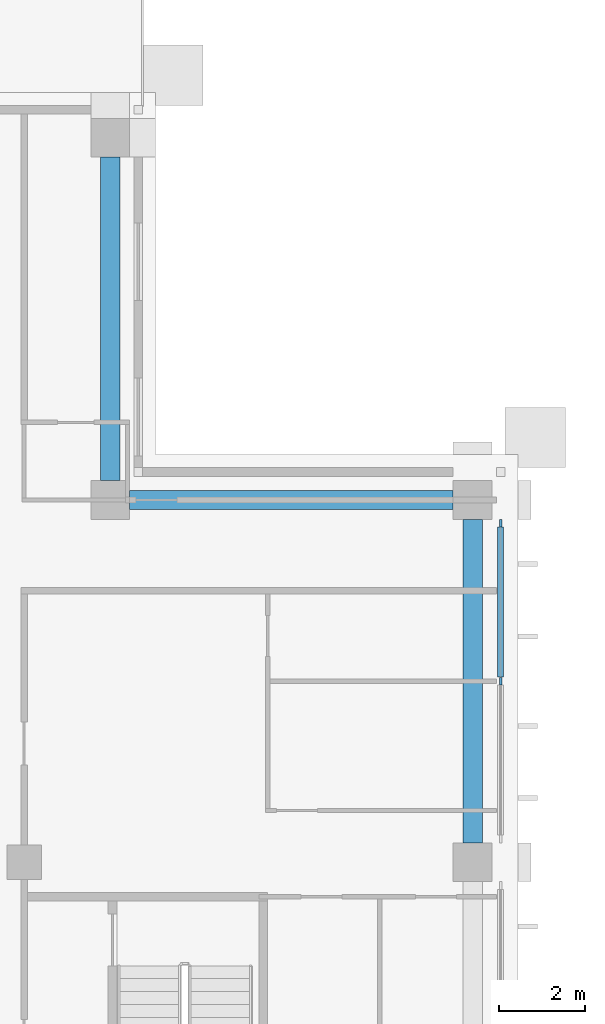
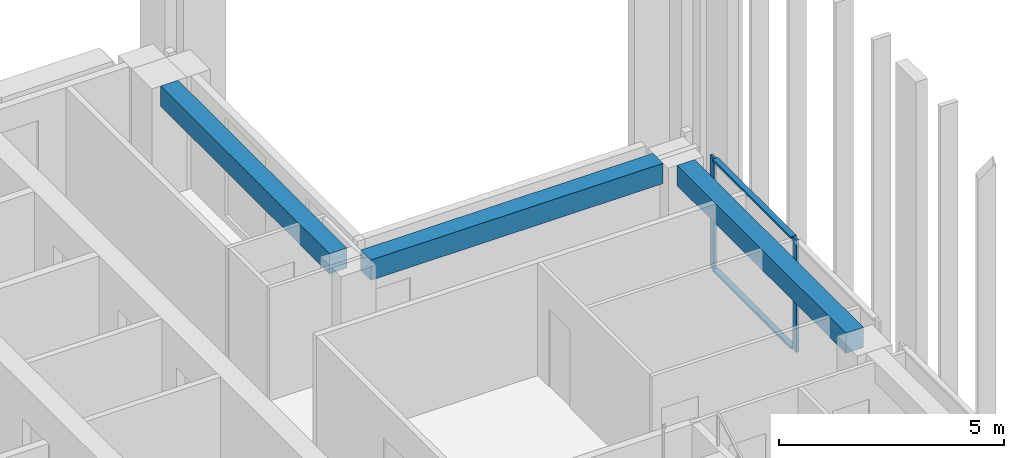
# One storey, part 7 of 20: 4 members, 3 beams, 1 element without a shape of its own.
"""IFC4 building model written with IfcOpenShell, lengths in metres."""

from ifc_helpers import new_model, si_unit, direction, frame, origin, origin_2d, place, context, subcontext, project, spatial, rectangle, extrude, material, material_profile, profile_set, type_object, element, aggregate, save


model = new_model("IFC4")

# Units and contexts
model_context = context("Model", 3, precision=1e-05, world=origin(), true_north=direction((0.0, 1.0)))
body_context = subcontext(model_context, "Body", "Model", "MODEL_VIEW")
ifc_project = project(units=[si_unit("LENGTHUNIT", "METRE"), si_unit("AREAUNIT", "SQUARE_METRE"), si_unit("VOLUMEUNIT", "CUBIC_METRE"), si_unit("PLANEANGLEUNIT", "RADIAN"), si_unit("MASSUNIT", "GRAM", prefix="KILO")], contexts=[model_context])

# Site, building, storey
site_placement = place(None, origin())
site = spatial("IfcSite", under=ifc_project, at=site_placement, CompositionType="ELEMENT")
building_placement = place(site_placement, origin())
building = spatial("IfcBuilding", under=site, at=building_placement, Name="Vermilion Ogive Tower", CompositionType="ELEMENT")
storey_placement = place(building_placement, frame((0.0, 0.0, 223.449951171875)))
storey = spatial("IfcBuildingStorey", under=building, at=storey_placement, Name="L58", CompositionType="ELEMENT", Elevation=223.449951171875)

# Curtain wall, members
ifc_material_1 = material(Name="Low-iron laminated glazing in aluminium frame", Category="aluminium")
curtain_wall_type = type_object("IfcCurtainWallType", Name="Curtain wall CW7", PredefinedType="NOTDEFINED", material=ifc_material_1)
curtain_wall_placement = place(storey_placement, origin())
curtain_wall = element("IfcCurtainWall", 1, at=curtain_wall_placement, inside=storey, type_object=curtain_wall_type, Name="Glazed skin E3", PredefinedType="NOTDEFINED")
ifc_material_2 = material(Name="Aluminium mullion", Category="aluminium")
ifc_material_profile_1 = material_profile(ifc_material_2, rectangle(XDim=0.06005859375, YDim=0.179931640625, at=origin_2d()), Name="AL 60x180")
ifc_profile_set_1 = profile_set([ifc_material_profile_1], Name="Aluminium mullion")
member_type_1 = type_object("IfcMemberType", Name="CW7 mullion 60x180", PredefinedType="MULLION", material=ifc_profile_set_1)
member_1_placement = place(storey_placement, frame((25.85009765625, 8.39990234375, 0.0), z_axis=(0.0, 0.0, 1.0), x_axis=(-1.0, 0.0, 0.0)))
member_1 = element("IfcMember", 2, at=member_1_placement, type_object=member_type_1, Name="CW7-E3 mullion 2", PredefinedType="MULLION", context=body_context, shape_type="SweptSolid", body=[
    extrude(rectangle(XDim=0.06005859375, YDim=0.179931640625, at=origin_2d()), origin(), (0.0, 0.0, 1.0), 3.050048828125),
])
member_2_placement = place(storey_placement, frame((25.85009765625, 12.06005859375, 0.0), z_axis=(0.0, 0.0, 1.0), x_axis=(-1.0, 0.0, 0.0)))
member_2 = element("IfcMember", 3, at=member_2_placement, type_object=member_type_1, Name="CW7-E3 mullion 3", PredefinedType="MULLION", context=body_context, shape_type="SweptSolid", body=[
    extrude(rectangle(XDim=0.06005859375, YDim=0.179931640625, at=origin_2d()), origin(), (0.0, 0.0, 1.0), 3.050048828125),
])
ifc_material_3 = material(Name="Aluminium transom", Category="aluminium")
ifc_material_profile_2 = material_profile(ifc_material_3, rectangle(XDim=0.139892578125, YDim=0.06005859375, at=origin_2d()), Name="AL 60x140")
ifc_profile_set_2 = profile_set([ifc_material_profile_2], Name="Aluminium transom")
member_type_2 = type_object("IfcMemberType", Name="CW7 transom 60x140", PredefinedType="USERDEFINED", material=ifc_profile_set_2)
member_3_placement = place(storey_placement, frame((25.85009765625, 8.489990234375, 0.030029296875), z_axis=(0.0, 1.0, 0.0), x_axis=(-1.0, 0.0, 0.0)))
member_3 = element("IfcMember", 4, at=member_3_placement, type_object=member_type_2, Name="CW7-E3 transom 2.1", ObjectType="TRANSOM", PredefinedType="USERDEFINED", context=body_context, shape_type="SweptSolid", body=[
    extrude(rectangle(XDim=0.139892578125, YDim=0.06005859375, at=origin_2d()), origin(), (0.0, 0.0, 1.0), 3.47998046875),
])
member_4_placement = place(storey_placement, frame((25.85009765625, 8.489990234375, 3.02001953125), z_axis=(0.0, 1.0, 0.0), x_axis=(-1.0, 0.0, 0.0)))
member_4 = element("IfcMember", 5, at=member_4_placement, type_object=member_type_2, Name="CW7-E3 transom 2.2", ObjectType="TRANSOM", PredefinedType="USERDEFINED", context=body_context, shape_type="SweptSolid", body=[
    extrude(rectangle(XDim=0.139892578125, YDim=0.06005859375, at=origin_2d()), origin(), (0.0, 0.0, 1.0), 3.47998046875),
])
aggregate(curtain_wall, [member_1, member_2, member_3, member_4])

# Beams
ifc_material_4 = material(Name="Concrete B45", Category="concrete")
ifc_material_profile_3 = material_profile(ifc_material_4, rectangle(XDim=0.449951171875, YDim=0.550048828125, at=origin_2d()), Name="450 x 550")
ifc_profile_set_3 = profile_set([ifc_material_profile_3], Name="Concrete B45")
beam_type = type_object("IfcBeamType", Name="Edge beam 450 x 550 B45", PredefinedType="BEAM", material=ifc_profile_set_3)
for number, where, z_axis, x_axis, name in (
    (6, (25.199951171875, 4.64990234375, 2.775146484375), (0.0, 1.0, 0.0), (-1.0, 0.0, 0.0), "L58-EB-9"),
    (7, (24.75, 12.60009765625, 2.775146484375), (-1.0, 0.0, 0.0), (0.0, -1.0, 0.0), "L58-EB-10"),
    (8, (16.800048828125, 13.050048828125, 2.775146484375), (0.0, 1.0, 0.0), (-1.0, 0.0, 0.0), "L58-EB-11"),
):
    element("IfcBeam", number, at=place(storey_placement, frame(where, z_axis=z_axis, x_axis=x_axis)), inside=storey, type_object=beam_type, Name=name, PredefinedType="BEAM", context=body_context, shape_type="SweptSolid", body=[
        extrude(rectangle(XDim=0.449951171875, YDim=0.550048828125, at=origin_2d()), origin(), (0.0, 0.0, 1.0), 7.5),
    ])

save(model, "model.ifc")
